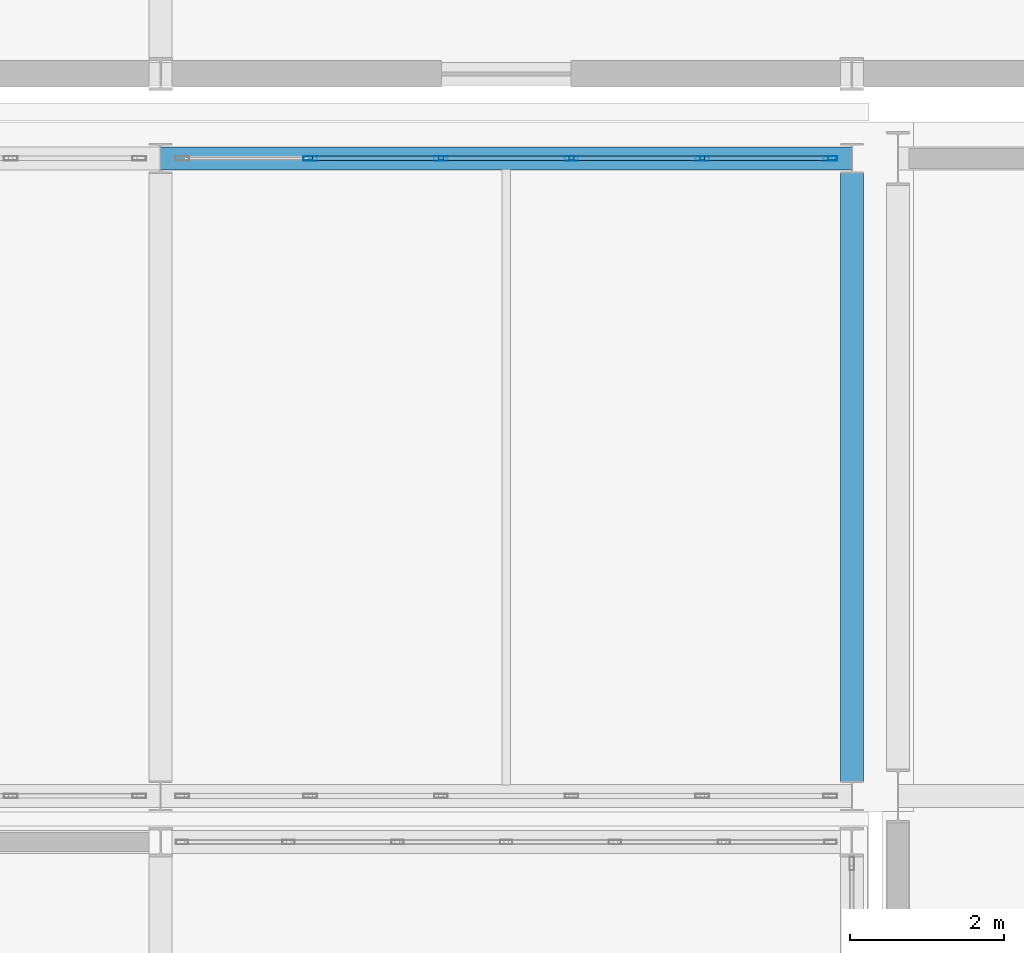
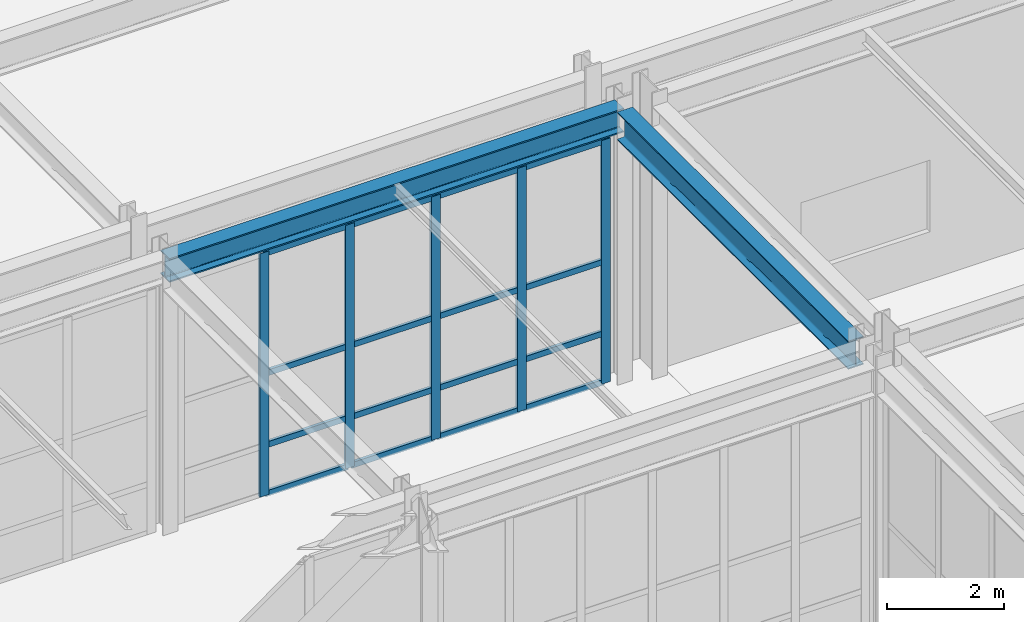
# One storey, part 56 of 146: 21 members, 2 beams, 1 element without a shape of its own.
"""IFC4 building model written with IfcOpenShell, lengths in metres."""

from ifc_helpers import new_model, si_unit, direction, frame, origin, origin_2d, place, context, subcontext, project, spatial, hollow_rectangle, i_section, extrude, material, material_profile, profile_set, type_object, element, aggregate, save


model = new_model("IFC4")

# Units and contexts
model_context = context("Model", 3, precision=1e-05, world=origin(), true_north=direction((0.0, 1.0)))
body_context = subcontext(model_context, "Body", "Model", "MODEL_VIEW")
ifc_project = project(units=[si_unit("LENGTHUNIT", "METRE"), si_unit("AREAUNIT", "SQUARE_METRE"), si_unit("VOLUMEUNIT", "CUBIC_METRE"), si_unit("PLANEANGLEUNIT", "RADIAN"), si_unit("MASSUNIT", "GRAM", prefix="KILO")], contexts=[model_context])

# Site, building, storey
site_placement = place(None, origin())
site = spatial("IfcSite", under=ifc_project, at=site_placement, CompositionType="ELEMENT")
building_placement = place(site_placement, origin())
building = spatial("IfcBuilding", under=site, at=building_placement, Name="Kaldris Quays Convention Centre", CompositionType="ELEMENT")
storey_placement = place(building_placement, origin())
storey = spatial("IfcBuildingStorey", under=building, at=storey_placement, Name="L00", CompositionType="ELEMENT", Elevation=0.0)

# Curtain wall, members
ifc_material_1 = material(Name="Anodized aluminium AW-6060 and triple glazing", Category="aluminium")
curtain_wall_type = type_object("IfcCurtainWallType", Name="UNITISED CURTAIN WALL CW02", PredefinedType="NOTDEFINED", material=ifc_material_1)
curtain_wall_placement = place(storey_placement, origin())
curtain_wall = element("IfcCurtainWall", 1, at=curtain_wall_placement, inside=storey, type_object=curtain_wall_type, Name="L00 Unitised Curtain Wall CW02 89", PredefinedType="NOTDEFINED")
ifc_material_2 = material(Name="Anodized aluminium AW-6060", Category="aluminium")
ifc_material_profile_1 = material_profile(ifc_material_2, hollow_rectangle(XDim=0.06005859375, YDim=0.179931640625, WallThickness=0.0048828125, at=origin_2d()), Name="RHS 180x60x5")
ifc_profile_set_1 = profile_set([ifc_material_profile_1], Name="Anodized aluminium AW-6060")
member_type_1 = type_object("IfcMemberType", Name="CURTAIN MULLION CWM2", PredefinedType="MULLION", material=ifc_profile_set_1)
member_1_placement = place(storey_placement, frame((75.949951171875, 54.89990234375, 0.0), z_axis=(0.0, 0.0, 1.0), x_axis=(0.0, 1.0, 0.0)))
member_1 = element("IfcMember", 2, at=member_1_placement, type_object=member_type_1, Name="CW02 mullion 2", PredefinedType="MULLION", context=body_context, shape_type="SweptSolid", body=[
    extrude(hollow_rectangle(XDim=0.06005859375, YDim=0.179931640625, WallThickness=0.0048828125, at=origin_2d()), origin(), (0.0, 0.0, 1.0), 5.10009765625),
])
member_2_placement = place(storey_placement, frame((77.64990234375, 54.89990234375, 0.0), z_axis=(0.0, 0.0, 1.0), x_axis=(0.0, 1.0, 0.0)))
member_2 = element("IfcMember", 3, at=member_2_placement, type_object=member_type_1, Name="CW02 mullion 3", PredefinedType="MULLION", context=body_context, shape_type="SweptSolid", body=[
    extrude(hollow_rectangle(XDim=0.06005859375, YDim=0.179931640625, WallThickness=0.0048828125, at=origin_2d()), origin(), (0.0, 0.0, 1.0), 5.10009765625),
])
member_3_placement = place(storey_placement, frame((79.35009765625, 54.89990234375, 0.0), z_axis=(0.0, 0.0, 1.0), x_axis=(0.0, 1.0, 0.0)))
member_3 = element("IfcMember", 4, at=member_3_placement, type_object=member_type_1, Name="CW02 mullion 4", PredefinedType="MULLION", context=body_context, shape_type="SweptSolid", body=[
    extrude(hollow_rectangle(XDim=0.06005859375, YDim=0.179931640625, WallThickness=0.0048828125, at=origin_2d()), origin(), (0.0, 0.0, 1.0), 5.10009765625),
])
member_4_placement = place(storey_placement, frame((81.050048828125, 54.89990234375, 0.0), z_axis=(0.0, 0.0, 1.0), x_axis=(0.0, 1.0, 0.0)))
member_4 = element("IfcMember", 5, at=member_4_placement, type_object=member_type_1, Name="CW02 mullion 5", PredefinedType="MULLION", context=body_context, shape_type="SweptSolid", body=[
    extrude(hollow_rectangle(XDim=0.06005859375, YDim=0.179931640625, WallThickness=0.0048828125, at=origin_2d()), origin(), (0.0, 0.0, 1.0), 5.10009765625),
])
member_5_placement = place(storey_placement, frame((82.719970703125, 54.89990234375, 0.0), z_axis=(0.0, 0.0, 1.0), x_axis=(0.0, 1.0, 0.0)))
member_5 = element("IfcMember", 6, at=member_5_placement, type_object=member_type_1, Name="CW02 mullion 6", PredefinedType="MULLION", context=body_context, shape_type="SweptSolid", body=[
    extrude(hollow_rectangle(XDim=0.06005859375, YDim=0.179931640625, WallThickness=0.0048828125, at=origin_2d()), origin(), (0.0, 0.0, 1.0), 5.10009765625),
])
ifc_material_profile_2 = material_profile(ifc_material_2, hollow_rectangle(XDim=0.06005859375, YDim=0.1201171875, WallThickness=0.00390625, at=origin_2d()), Name="RHS 120x60x4")
ifc_profile_set_2 = profile_set([ifc_material_profile_2], Name="Anodized aluminium AW-6060")
member_type_2 = type_object("IfcMemberType", Name="CURTAIN TRANSOM CWT1", PredefinedType="USERDEFINED", material=ifc_profile_set_2)
member_6_placement = place(storey_placement, frame((75.97998046875, 54.89990234375, 0.030029296875), z_axis=(1.0, 0.0, 0.0), x_axis=(0.0, 1.0, 0.0)))
member_6 = element("IfcMember", 7, at=member_6_placement, type_object=member_type_2, Name="CW02 transom 2.1", ObjectType="TRANSOM", PredefinedType="USERDEFINED", context=body_context, shape_type="SweptSolid", body=[
    extrude(hollow_rectangle(XDim=0.06005859375, YDim=0.1201171875, WallThickness=0.00390625, at=origin_2d()), origin(), (0.0, 0.0, 1.0), 1.64013671875),
])
member_7_placement = place(storey_placement, frame((75.97998046875, 54.89990234375, 1.050048828125), z_axis=(1.0, 0.0, 0.0), x_axis=(0.0, 1.0, 0.0)))
member_7 = element("IfcMember", 8, at=member_7_placement, type_object=member_type_2, Name="CW02 transom 2.2", ObjectType="TRANSOM", PredefinedType="USERDEFINED", context=body_context, shape_type="SweptSolid", body=[
    extrude(hollow_rectangle(XDim=0.06005859375, YDim=0.1201171875, WallThickness=0.00390625, at=origin_2d()), origin(), (0.0, 0.0, 1.0), 1.64013671875),
])
member_8_placement = place(storey_placement, frame((75.97998046875, 54.89990234375, 2.550048828125), z_axis=(1.0, 0.0, 0.0), x_axis=(0.0, 1.0, 0.0)))
member_8 = element("IfcMember", 9, at=member_8_placement, type_object=member_type_2, Name="CW02 transom 2.3", ObjectType="TRANSOM", PredefinedType="USERDEFINED", context=body_context, shape_type="SweptSolid", body=[
    extrude(hollow_rectangle(XDim=0.06005859375, YDim=0.1201171875, WallThickness=0.00390625, at=origin_2d()), origin(), (0.0, 0.0, 1.0), 1.64013671875),
])
member_9_placement = place(storey_placement, frame((75.97998046875, 54.89990234375, 5.070068359375), z_axis=(1.0, 0.0, 0.0), x_axis=(0.0, 1.0, 0.0)))
member_9 = element("IfcMember", 10, at=member_9_placement, type_object=member_type_2, Name="CW02 transom 2.4", ObjectType="TRANSOM", PredefinedType="USERDEFINED", context=body_context, shape_type="SweptSolid", body=[
    extrude(hollow_rectangle(XDim=0.06005859375, YDim=0.1201171875, WallThickness=0.00390625, at=origin_2d()), origin(), (0.0, 0.0, 1.0), 1.64013671875),
])
member_10_placement = place(storey_placement, frame((77.679931640625, 54.89990234375, 0.030029296875), z_axis=(1.0, 0.0, 0.0), x_axis=(0.0, 1.0, 0.0)))
member_10 = element("IfcMember", 11, at=member_10_placement, type_object=member_type_2, Name="CW02 transom 3.1", ObjectType="TRANSOM", PredefinedType="USERDEFINED", context=body_context, shape_type="SweptSolid", body=[
    extrude(hollow_rectangle(XDim=0.06005859375, YDim=0.1201171875, WallThickness=0.00390625, at=origin_2d()), origin(), (0.0, 0.0, 1.0), 1.64013671875),
])
member_11_placement = place(storey_placement, frame((77.679931640625, 54.89990234375, 1.050048828125), z_axis=(1.0, 0.0, 0.0), x_axis=(0.0, 1.0, 0.0)))
member_11 = element("IfcMember", 12, at=member_11_placement, type_object=member_type_2, Name="CW02 transom 3.2", ObjectType="TRANSOM", PredefinedType="USERDEFINED", context=body_context, shape_type="SweptSolid", body=[
    extrude(hollow_rectangle(XDim=0.06005859375, YDim=0.1201171875, WallThickness=0.00390625, at=origin_2d()), origin(), (0.0, 0.0, 1.0), 1.64013671875),
])
member_12_placement = place(storey_placement, frame((77.679931640625, 54.89990234375, 2.550048828125), z_axis=(1.0, 0.0, 0.0), x_axis=(0.0, 1.0, 0.0)))
member_12 = element("IfcMember", 13, at=member_12_placement, type_object=member_type_2, Name="CW02 transom 3.3", ObjectType="TRANSOM", PredefinedType="USERDEFINED", context=body_context, shape_type="SweptSolid", body=[
    extrude(hollow_rectangle(XDim=0.06005859375, YDim=0.1201171875, WallThickness=0.00390625, at=origin_2d()), origin(), (0.0, 0.0, 1.0), 1.64013671875),
])
member_13_placement = place(storey_placement, frame((77.679931640625, 54.89990234375, 5.070068359375), z_axis=(1.0, 0.0, 0.0), x_axis=(0.0, 1.0, 0.0)))
member_13 = element("IfcMember", 14, at=member_13_placement, type_object=member_type_2, Name="CW02 transom 3.4", ObjectType="TRANSOM", PredefinedType="USERDEFINED", context=body_context, shape_type="SweptSolid", body=[
    extrude(hollow_rectangle(XDim=0.06005859375, YDim=0.1201171875, WallThickness=0.00390625, at=origin_2d()), origin(), (0.0, 0.0, 1.0), 1.64013671875),
])
member_14_placement = place(storey_placement, frame((79.3798828125, 54.89990234375, 0.030029296875), z_axis=(1.0, 0.0, 0.0), x_axis=(0.0, 1.0, 0.0)))
member_14 = element("IfcMember", 15, at=member_14_placement, type_object=member_type_2, Name="CW02 transom 4.1", ObjectType="TRANSOM", PredefinedType="USERDEFINED", context=body_context, shape_type="SweptSolid", body=[
    extrude(hollow_rectangle(XDim=0.06005859375, YDim=0.1201171875, WallThickness=0.00390625, at=origin_2d()), origin(), (0.0, 0.0, 1.0), 1.64013671875),
])
member_15_placement = place(storey_placement, frame((79.3798828125, 54.89990234375, 1.050048828125), z_axis=(1.0, 0.0, 0.0), x_axis=(0.0, 1.0, 0.0)))
member_15 = element("IfcMember", 16, at=member_15_placement, type_object=member_type_2, Name="CW02 transom 4.2", ObjectType="TRANSOM", PredefinedType="USERDEFINED", context=body_context, shape_type="SweptSolid", body=[
    extrude(hollow_rectangle(XDim=0.06005859375, YDim=0.1201171875, WallThickness=0.00390625, at=origin_2d()), origin(), (0.0, 0.0, 1.0), 1.64013671875),
])
member_16_placement = place(storey_placement, frame((79.3798828125, 54.89990234375, 2.550048828125), z_axis=(1.0, 0.0, 0.0), x_axis=(0.0, 1.0, 0.0)))
member_16 = element("IfcMember", 17, at=member_16_placement, type_object=member_type_2, Name="CW02 transom 4.3", ObjectType="TRANSOM", PredefinedType="USERDEFINED", context=body_context, shape_type="SweptSolid", body=[
    extrude(hollow_rectangle(XDim=0.06005859375, YDim=0.1201171875, WallThickness=0.00390625, at=origin_2d()), origin(), (0.0, 0.0, 1.0), 1.64013671875),
])
member_17_placement = place(storey_placement, frame((79.3798828125, 54.89990234375, 5.070068359375), z_axis=(1.0, 0.0, 0.0), x_axis=(0.0, 1.0, 0.0)))
member_17 = element("IfcMember", 18, at=member_17_placement, type_object=member_type_2, Name="CW02 transom 4.4", ObjectType="TRANSOM", PredefinedType="USERDEFINED", context=body_context, shape_type="SweptSolid", body=[
    extrude(hollow_rectangle(XDim=0.06005859375, YDim=0.1201171875, WallThickness=0.00390625, at=origin_2d()), origin(), (0.0, 0.0, 1.0), 1.64013671875),
])
member_18_placement = place(storey_placement, frame((81.080078125, 54.89990234375, 0.030029296875), z_axis=(1.0, 0.0, 0.0), x_axis=(0.0, 1.0, 0.0)))
member_18 = element("IfcMember", 19, at=member_18_placement, type_object=member_type_2, Name="CW02 transom 5.1", ObjectType="TRANSOM", PredefinedType="USERDEFINED", context=body_context, shape_type="SweptSolid", body=[
    extrude(hollow_rectangle(XDim=0.06005859375, YDim=0.1201171875, WallThickness=0.00390625, at=origin_2d()), origin(), (0.0, 0.0, 1.0), 1.60986328125),
])
member_19_placement = place(storey_placement, frame((81.080078125, 54.89990234375, 1.050048828125), z_axis=(1.0, 0.0, 0.0), x_axis=(0.0, 1.0, 0.0)))
member_19 = element("IfcMember", 20, at=member_19_placement, type_object=member_type_2, Name="CW02 transom 5.2", ObjectType="TRANSOM", PredefinedType="USERDEFINED", context=body_context, shape_type="SweptSolid", body=[
    extrude(hollow_rectangle(XDim=0.06005859375, YDim=0.1201171875, WallThickness=0.00390625, at=origin_2d()), origin(), (0.0, 0.0, 1.0), 1.60986328125),
])
member_20_placement = place(storey_placement, frame((81.080078125, 54.89990234375, 2.550048828125), z_axis=(1.0, 0.0, 0.0), x_axis=(0.0, 1.0, 0.0)))
member_20 = element("IfcMember", 21, at=member_20_placement, type_object=member_type_2, Name="CW02 transom 5.3", ObjectType="TRANSOM", PredefinedType="USERDEFINED", context=body_context, shape_type="SweptSolid", body=[
    extrude(hollow_rectangle(XDim=0.06005859375, YDim=0.1201171875, WallThickness=0.00390625, at=origin_2d()), origin(), (0.0, 0.0, 1.0), 1.60986328125),
])
member_21_placement = place(storey_placement, frame((81.080078125, 54.89990234375, 5.070068359375), z_axis=(1.0, 0.0, 0.0), x_axis=(0.0, 1.0, 0.0)))
member_21 = element("IfcMember", 22, at=member_21_placement, type_object=member_type_2, Name="CW02 transom 5.4", ObjectType="TRANSOM", PredefinedType="USERDEFINED", context=body_context, shape_type="SweptSolid", body=[
    extrude(hollow_rectangle(XDim=0.06005859375, YDim=0.1201171875, WallThickness=0.00390625, at=origin_2d()), origin(), (0.0, 0.0, 1.0), 1.60986328125),
])
aggregate(curtain_wall, [member_1, member_2, member_3, member_4, member_5, member_6, member_7, member_8, member_9, member_10, member_11, member_12, member_13, member_14, member_15, member_16, member_17, member_18, member_19, member_20, member_21])

# Beams
ifc_material_3 = material(Name="Steel S355J2", Category="steel")
ifc_material_profile_3 = material_profile(ifc_material_3, i_section(OverallWidth=0.300048828125, OverallDepth=0.5, WebThickness=0.014404296875, FlangeThickness=0.028076171875, FilletRadius=0.027099609375, at=origin_2d()), Name="HEB 500")
ifc_profile_set_3 = profile_set([ifc_material_profile_3], Name="Steel S355J2")
beam_type_1 = type_object("IfcBeamType", Name="STRUCTURAL BEAM BM06", PredefinedType="BEAM", material=ifc_profile_set_3)
beam_1_placement = place(storey_placement, frame((73.99951171875, 54.89990234375, 5.472900390625), z_axis=(1.0, 0.0, 0.0), x_axis=(0.0, 1.0, 0.0)))
element("IfcBeam", 23, at=beam_1_placement, inside=storey, type_object=beam_type_1, Name="L00 Girder BM06 12", PredefinedType="BEAM", context=body_context, shape_type="SweptSolid", body=[
    extrude(i_section(OverallWidth=0.300048828125, OverallDepth=0.5, WebThickness=0.014404296875, FlangeThickness=0.028076171875, FilletRadius=0.027099609375, at=origin_2d()), origin(), (0.0, 0.0, 1.0), 9.0009765625),
])
ifc_material_profile_4 = material_profile(ifc_material_3, i_section(OverallWidth=0.300048828125, OverallDepth=0.590087890625, WebThickness=0.012939453125, FlangeThickness=0.02490234375, FilletRadius=0.027099609375, at=origin_2d()), Name="HEA 600")
ifc_profile_set_4 = profile_set([ifc_material_profile_4], Name="Steel S355J2")
beam_type_2 = type_object("IfcBeamType", Name="STRUCTURAL BEAM BM08", PredefinedType="BEAM", material=ifc_profile_set_4)
beam_2_placement = place(storey_placement, frame((83.0, 46.7890625, 5.427978515625), z_axis=(0.0, 1.0, 0.0), x_axis=(-1.0, 0.0, 0.0)))
element("IfcBeam", 24, at=beam_2_placement, inside=storey, type_object=beam_type_2, Name="L00 Girder BM08 19", PredefinedType="BEAM", context=body_context, shape_type="SweptSolid", body=[
    extrude(i_section(OverallWidth=0.300048828125, OverallDepth=0.590087890625, WebThickness=0.012939453125, FlangeThickness=0.02490234375, FilletRadius=0.027099609375, at=origin_2d()), origin(), (0.0, 0.0, 1.0), 7.921875),
])

save(model, "model.ifc")
